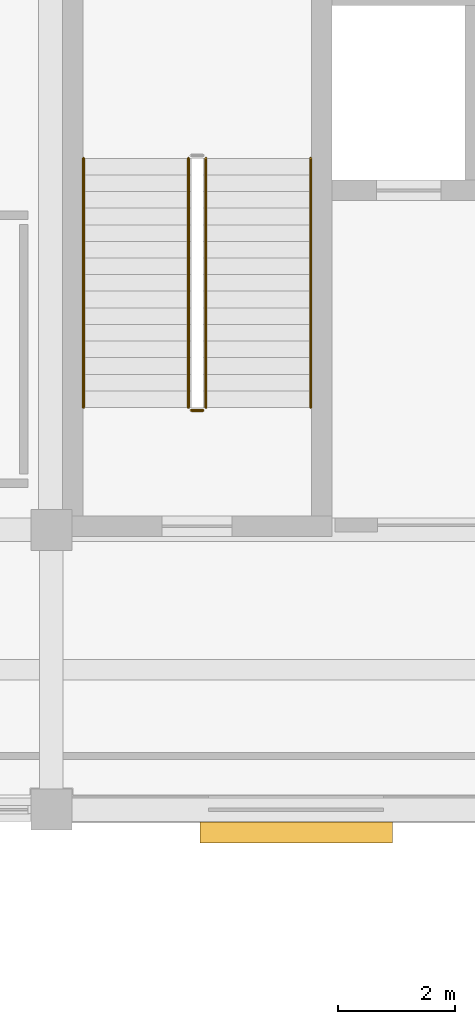
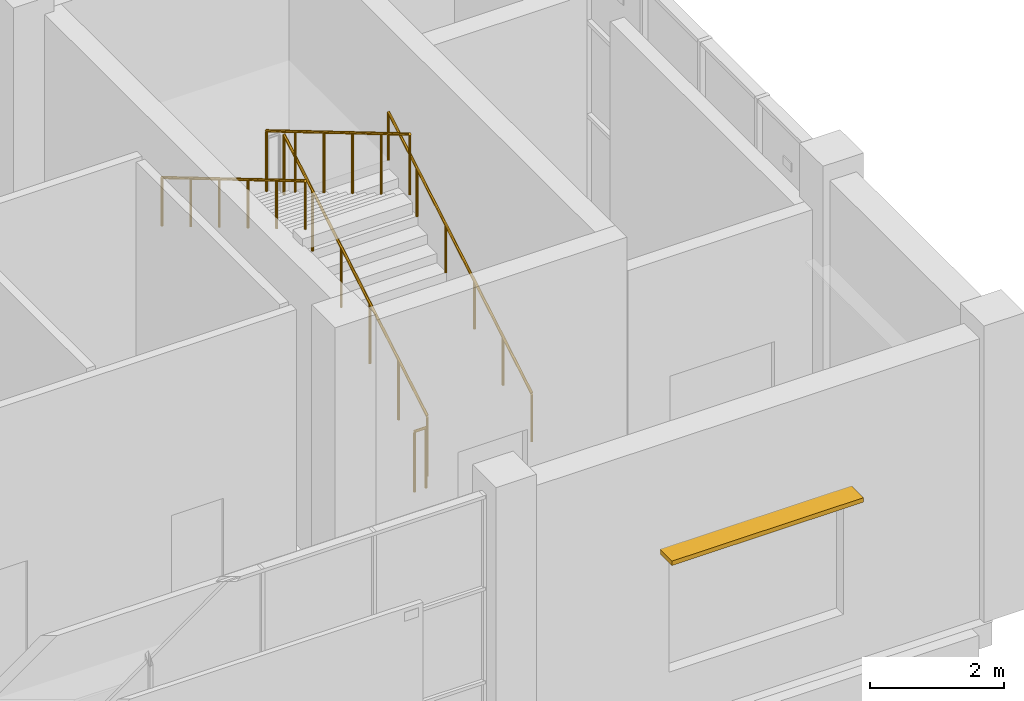
# One storey, part 68 of 72: 5 railings, 1 shading device.
"""IFC4 building model written with IfcOpenShell, lengths in metres."""

from ifc_helpers import new_model, si_unit, direction, frame, origin, origin_2d, place, context, subcontext, project, spatial, rectangle, circle, extrude, material, type_object, element, save


model = new_model("IFC4")

# Units and contexts
model_context = context("Model", 3, precision=1e-05, world=origin(), true_north=direction((0.0, 1.0)))
body_context = subcontext(model_context, "Body", "Model", "MODEL_VIEW")
ifc_project = project(units=[si_unit("LENGTHUNIT", "METRE"), si_unit("AREAUNIT", "SQUARE_METRE"), si_unit("VOLUMEUNIT", "CUBIC_METRE"), si_unit("PLANEANGLEUNIT", "RADIAN"), si_unit("MASSUNIT", "GRAM", prefix="KILO")], contexts=[model_context])

# Site, building, storey
site_placement = place(None, origin())
site = spatial("IfcSite", under=ifc_project, at=site_placement, CompositionType="ELEMENT")
building_placement = place(site_placement, origin())
building = spatial("IfcBuilding", under=site, at=building_placement, Name="Shalvenor Court Art Gallery", CompositionType="ELEMENT")
storey_placement = place(building_placement, frame((0.0, 0.0, 11.39990234375)))
storey = spatial("IfcBuildingStorey", under=building, at=storey_placement, Name="L02", CompositionType="ELEMENT", Elevation=11.39990234375)

# Railings
ifc_material_1 = material(Name="Painted steel post-and-rail guard", Category="steel")
railing_type_1 = type_object("IfcRailingType", Name="GR-02", PredefinedType="GUARDRAIL", material=ifc_material_1)
railing_1_placement = place(storey_placement, frame((170.64990234375, 52.5, 0.1689453125)))
element("IfcRailing", 1, at=railing_1_placement, inside=storey, type_object=railing_type_1, Name="L02 ST-02 Stair Guard 1", PredefinedType="GUARDRAIL", context=body_context, shape_type="SweptSolid", body=[
    extrude(circle(Radius=0.02392578125, at=origin_2d()), frame((0.0, 0.0, 1.09619140625), z_axis=(0.0, 0.860470286479, 0.509500624227), x_axis=(-1.0, 0.0, 0.0)), (0.0, 0.0, 1.0), 4.968017578125),
    extrude(circle(Radius=0.02099609375, at=origin_2d()), origin(), (0.0, 0.0, 1.0), 1.072021484375),
    extrude(circle(Radius=0.02099609375, at=origin_2d()), frame((0.0, 0.85498046875, 0.50634765625)), (0.0, 0.0, 1.0), 1.072021484375),
    extrude(circle(Radius=0.02099609375, at=origin_2d()), frame((0.0, 1.7099609375, 1.012451171875)), (0.0, 0.0, 1.0), 1.072021484375),
    extrude(circle(Radius=0.02099609375, at=origin_2d()), frame((0.0, 2.56494140625, 1.518798828125)), (0.0, 0.0, 1.0), 1.072021484375),
    extrude(circle(Radius=0.02099609375, at=origin_2d()), frame((0.0, 3.419921875, 2.02490234375)), (0.0, 0.0, 1.0), 1.072021484375),
    extrude(circle(Radius=0.02099609375, at=origin_2d()), frame((0.0, 4.27490234375, 2.53125)), (0.0, 0.0, 1.0), 1.072021484375),
])
railing_2_placement = place(storey_placement, frame((170.35009765625, 56.77490234375, 2.868896484375)))
element("IfcRailing", 2, at=railing_2_placement, inside=storey, type_object=railing_type_1, Name="L02 ST-02 Stair Guard 3", PredefinedType="GUARDRAIL", context=body_context, shape_type="SweptSolid", body=[
    extrude(circle(Radius=0.02392578125, at=origin_2d()), frame((0.0, 0.0, 1.09619140625), z_axis=(0.0, -0.860470286479, 0.509500624227), x_axis=(1.0, 0.0, 0.0)), (0.0, 0.0, 1.0), 4.968017578125),
    extrude(circle(Radius=0.02099609375, at=origin_2d()), origin(), (0.0, 0.0, 1.0), 1.072021484375),
    extrude(circle(Radius=0.02099609375, at=origin_2d()), frame((0.0, -0.85498046875, 0.50634765625)), (0.0, 0.0, 1.0), 1.072021484375),
    extrude(circle(Radius=0.02099609375, at=origin_2d()), frame((0.0, -1.7099609375, 1.012451171875)), (0.0, 0.0, 1.0), 1.072021484375),
    extrude(circle(Radius=0.02099609375, at=origin_2d()), frame((0.0, -2.56494140625, 1.518798828125)), (0.0, 0.0, 1.0), 1.072021484375),
    extrude(circle(Radius=0.02099609375, at=origin_2d()), frame((0.0, -3.419921875, 2.02490234375)), (0.0, 0.0, 1.0), 1.072021484375),
    extrude(circle(Radius=0.02099609375, at=origin_2d()), frame((0.0, -4.27490234375, 2.53125)), (0.0, 0.0, 1.0), 1.072021484375),
])
railing_3_placement = place(storey_placement, frame((170.60009765625, 52.449951171875, 0.0)))
element("IfcRailing", 3, at=railing_3_placement, inside=storey, type_object=railing_type_1, Name="L02 ST-02 Stair Guard 4", PredefinedType="GUARDRAIL", context=body_context, shape_type="SweptSolid", body=[
    extrude(circle(Radius=0.02392578125, at=origin_2d()), frame((0.0, 0.0, 1.09619140625), z_axis=(-1.0, 0.0, 0.0), x_axis=(0.0, -1.0, 0.0)), (0.0, 0.0, 1.0), 0.2001953125),
    extrude(circle(Radius=0.02099609375, at=origin_2d()), origin(), (0.0, 0.0, 1.0), 1.072021484375),
    extrude(circle(Radius=0.02099609375, at=origin_2d()), frame((-0.2001953125, 0.0, 0.0)), (0.0, 0.0, 1.0), 1.072021484375),
])
ifc_material_2 = material(Name="Brushed stainless steel handrail", Category="steel")
railing_type_2 = type_object("IfcRailingType", Name="HR-01", PredefinedType="HANDRAIL", material=ifc_material_2)
railing_4_placement = place(storey_placement, frame((172.449951171875, 52.5, 0.1689453125)))
element("IfcRailing", 4, at=railing_4_placement, inside=storey, type_object=railing_type_2, Name="L02 ST-02 Stair Handrail 1", PredefinedType="HANDRAIL", context=body_context, shape_type="SweptSolid", body=[
    extrude(circle(Radius=0.02392578125, at=origin_2d()), frame((0.0, 0.0, 0.8759765625), z_axis=(0.0, 0.860470286479, 0.509500624227), x_axis=(-1.0, 0.0, 0.0)), (0.0, 0.0, 1.0), 4.968017578125),
    extrude(circle(Radius=0.02099609375, at=origin_2d()), origin(), (0.0, 0.0, 1.0), 0.851806640625),
    extrude(circle(Radius=0.02099609375, at=origin_2d()), frame((0.0, 0.85498046875, 0.50634765625)), (0.0, 0.0, 1.0), 0.851806640625),
    extrude(circle(Radius=0.02099609375, at=origin_2d()), frame((0.0, 1.7099609375, 1.012451171875)), (0.0, 0.0, 1.0), 0.851806640625),
    extrude(circle(Radius=0.02099609375, at=origin_2d()), frame((0.0, 2.56494140625, 1.518798828125)), (0.0, 0.0, 1.0), 0.851806640625),
    extrude(circle(Radius=0.02099609375, at=origin_2d()), frame((0.0, 3.419921875, 2.02490234375)), (0.0, 0.0, 1.0), 0.851806640625),
    extrude(circle(Radius=0.02099609375, at=origin_2d()), frame((0.0, 4.27490234375, 2.53125)), (0.0, 0.0, 1.0), 0.851806640625),
])
railing_5_placement = place(storey_placement, frame((168.550048828125, 56.77490234375, 2.868896484375)))
element("IfcRailing", 5, at=railing_5_placement, inside=storey, type_object=railing_type_2, Name="L02 ST-02 Stair Handrail 2", PredefinedType="HANDRAIL", context=body_context, shape_type="SweptSolid", body=[
    extrude(circle(Radius=0.02392578125, at=origin_2d()), frame((0.0, 0.0, 0.8759765625), z_axis=(0.0, -0.860470286479, 0.509500624227), x_axis=(1.0, 0.0, 0.0)), (0.0, 0.0, 1.0), 4.968017578125),
    extrude(circle(Radius=0.02099609375, at=origin_2d()), origin(), (0.0, 0.0, 1.0), 0.851806640625),
    extrude(circle(Radius=0.02099609375, at=origin_2d()), frame((0.0, -0.85498046875, 0.50634765625)), (0.0, 0.0, 1.0), 0.851806640625),
    extrude(circle(Radius=0.02099609375, at=origin_2d()), frame((0.0, -1.7099609375, 1.012451171875)), (0.0, 0.0, 1.0), 0.851806640625),
    extrude(circle(Radius=0.02099609375, at=origin_2d()), frame((0.0, -2.56494140625, 1.518798828125)), (0.0, 0.0, 1.0), 0.851806640625),
    extrude(circle(Radius=0.02099609375, at=origin_2d()), frame((0.0, -3.419921875, 2.02490234375)), (0.0, 0.0, 1.0), 0.851806640625),
    extrude(circle(Radius=0.02099609375, at=origin_2d()), frame((0.0, -4.27490234375, 2.53125)), (0.0, 0.0, 1.0), 0.851806640625),
])

# Shading device
ifc_material_3 = material(Name="Dark anodised bronze aluminium louvre", Category="aluminium")
shading_device_type = type_object("IfcShadingDeviceType", Name="SHD-01", PredefinedType="JALOUSIE", material=ifc_material_3)
shading_device_placement = place(storey_placement, frame((172.199951171875, 45.2099609375, 3.10009765625), z_axis=(0.0, 0.0, 1.0), x_axis=(-1.0, 0.0, 0.0)))
element("IfcShadingDevice", 6, at=shading_device_placement, inside=storey, type_object=shading_device_type, Name="L02 Koushi Window Sunshade 9", PredefinedType="JALOUSIE", context=body_context, shape_type="SweptSolid", body=[
    extrude(rectangle(XDim=3.300048828125, YDim=0.360107421875, at=origin_2d()), origin(), (0.0, 0.0, 1.0), 0.080078125),
])

save(model, "model.ifc")
